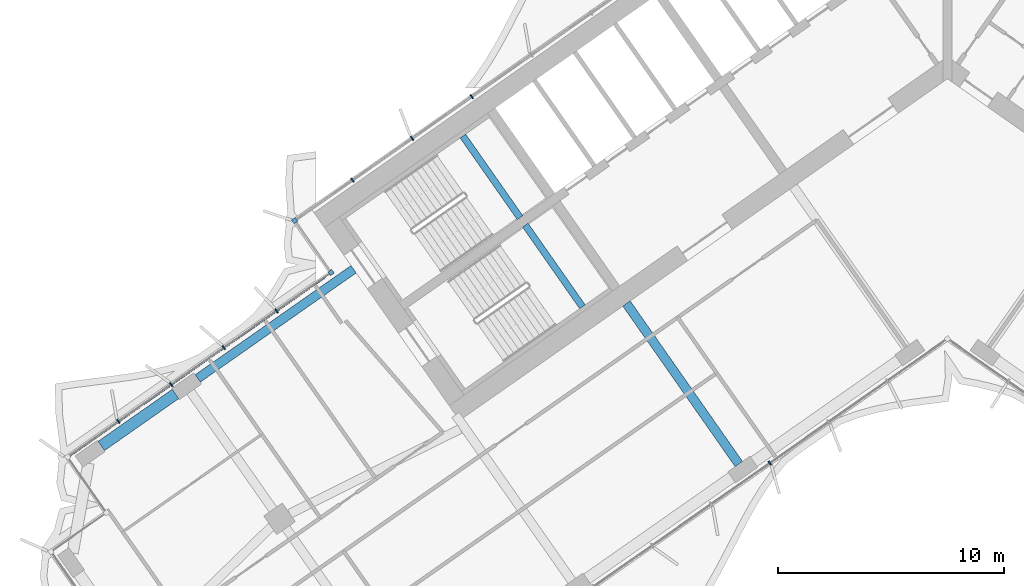
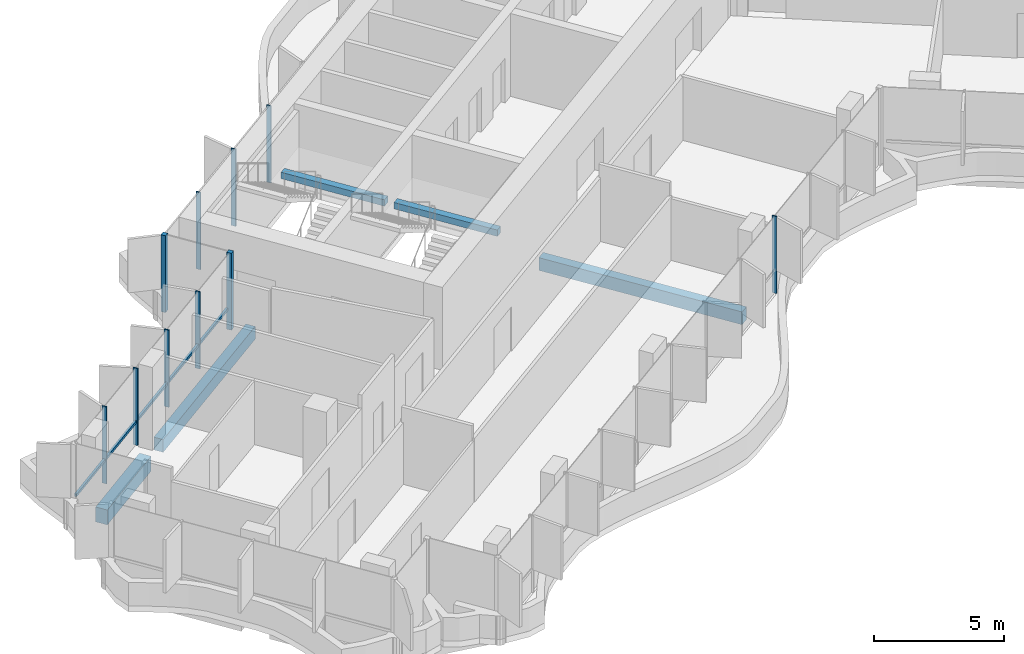
# One storey, part 4 of 21: 11 members, 5 beams, 2 elements without a shape of their own.
"""IFC4 building model written with IfcOpenShell, lengths in metres."""

import ifcopenshell
import ifcopenshell.guid

model = None  # the IFC model being written
_history = None  # IfcOwnerHistory: only IFC2X3 demands one
_inside = {}  # id of a spatial element -> (the spatial element, [elements in it])
_under = {}  # id of a project, library or spatial element -> (it, [spatial elements below it])
_declared = {}  # id of a project -> (the project, [libraries it declares])
_typed = {}  # id of a type object -> (the type object, [elements of that type])
_made_of = {}  # id of a material, layer set ... -> (it, [elements and type objects made of it])


def new_model(schema):
    """Start an empty IFC model of exactly this schema.

    Asked for "IFC4X3", IfcOpenShell would pick the latest addendum, in which some entities
    have other attributes; the version numbers below select the first issue.
    IFC2X3 requires an IfcOwnerHistory on every rooted entity: one is made here for all.
    """
    global model, _history
    if schema == "IFC4X3":
        model = ifcopenshell.file(schema_version=(4, 3, 0, 0))
    else:
        model = ifcopenshell.file(schema=schema)
    _inside.clear()
    _under.clear()
    _declared.clear()
    _typed.clear()
    _made_of.clear()
    _history = None
    if model.schema == "IFC2X3":
        org = make("IfcOrganization", Name="unknown")
        user = make(
            "IfcPersonAndOrganization",
            ThePerson=make("IfcPerson", FamilyName="unknown"),
            TheOrganization=org,
        )
        app = make(
            "IfcApplication",
            ApplicationDeveloper=org,
            Version="unknown",
            ApplicationFullName="unknown",
            ApplicationIdentifier="unknown",
        )
        _history = make(
            "IfcOwnerHistory",
            OwningUser=user,
            OwningApplication=app,
            ChangeAction="ADDED",
            CreationDate=0,
        )
    return model


def make(cls, **values):
    """One entity of the class cls with the attributes given. An attribute that is None is left unset."""
    return model.create_entity(
        cls, **{name: value for name, value in values.items() if value is not None}
    )


def rooted(cls, **values):
    """An entity with a GlobalId (a new one), such as an element, a storey or a relation."""
    return make(cls, GlobalId=ifcopenshell.guid.new(), OwnerHistory=_history, **values)


def si_unit(unit_type, name, prefix=None):
    """IfcSIUnit, for example si_unit("LENGTHUNIT", "METRE", prefix="MILLI")."""
    return make("IfcSIUnit", UnitType=unit_type, Prefix=prefix, Name=name)


def assignment(units):
    """IfcUnitAssignment: the units of a project."""
    return None if units is None else make("IfcUnitAssignment", Units=units)


def point(xyz):
    """IfcCartesianPoint."""
    return None if xyz is None else make("IfcCartesianPoint", Coordinates=xyz)


def direction(xyz):
    """IfcDirection."""
    return None if xyz is None else make("IfcDirection", DirectionRatios=xyz)


def frame(location, z_axis=None, x_axis=None):
    """IfcAxis2Placement3D, a coordinate frame: its origin and axes. An axis left out is left unset."""
    return make(
        "IfcAxis2Placement3D",
        Location=point(location),
        Axis=direction(z_axis),
        RefDirection=direction(x_axis),
    )


def frame_2d(location, x_axis=None):
    """IfcAxis2Placement2D, a coordinate frame in the plane: its origin and x axis."""
    return make(
        "IfcAxis2Placement2D", Location=point(location), RefDirection=direction(x_axis)
    )


def origin():
    """The frame at (0, 0, 0) with its axes left unset."""
    return frame((0.0, 0.0, 0.0))


def origin_2d():
    """The frame at (0, 0) in the plane with its x axis left unset."""
    return frame_2d((0.0, 0.0))


def place(relative_to, where):
    """IfcLocalPlacement: puts the frame where relative to a parent placement (None: the world)."""
    return make(
        "IfcLocalPlacement", PlacementRelTo=relative_to, RelativePlacement=where
    )


def context(
    kind, dimensions, precision=None, world=None, true_north=None, identifier=None
):
    """IfcGeometricRepresentationContext, for example the 3D "Model" context."""
    return make(
        "IfcGeometricRepresentationContext",
        ContextIdentifier=identifier,
        ContextType=kind,
        CoordinateSpaceDimension=dimensions,
        Precision=precision,
        WorldCoordinateSystem=world,
        TrueNorth=true_north,
    )


def subcontext(parent, identifier, kind, view, scale=None):
    """IfcGeometricRepresentationSubContext, for example "Body" below "Model"."""
    return make(
        "IfcGeometricRepresentationSubContext",
        ContextIdentifier=identifier,
        ContextType=kind,
        ParentContext=parent,
        TargetScale=scale,
        TargetView=view,
    )


def project(units=None, contexts=None):
    """IfcProject with its units and contexts."""
    return rooted(
        "IfcProject",
        Name="project",
        RepresentationContexts=contexts,
        UnitsInContext=assignment(units),
    )


def spatial(cls, under=None, at=None, **own):
    """A site, building, storey or space (cls), placed at a placement, below another one or the project."""
    s = rooted(cls, ObjectPlacement=at, **own)
    if under is not None:
        _under.setdefault(under.id(), (under, []))[1].append(s)
    return s


def profile(cls, at=None, kind="AREA", **sizes):
    """A parametric profile (cls). Its sizes go by their IFC names, for example OverallWidth=200.0."""
    return make(cls, ProfileType=kind, Position=at, **sizes)


def rectangle(**sizes):
    """IfcRectangleProfileDef."""
    return profile("IfcRectangleProfileDef", **sizes)


def extrude(swept, where, along, depth):
    """IfcExtrudedAreaSolid: the profile swept, set in the frame where, extruded along a direction by depth."""
    return make(
        "IfcExtrudedAreaSolid",
        SweptArea=swept,
        Position=where,
        ExtrudedDirection=direction(along),
        Depth=depth,
    )


def shape(context_of_items, identifier, shape_type, items):
    """IfcShapeRepresentation: the items that make up one representation, for example the "Body"."""
    return make(
        "IfcShapeRepresentation",
        ContextOfItems=context_of_items,
        RepresentationIdentifier=identifier,
        RepresentationType=shape_type,
        Items=items,
    )


def material(Name=None, Category=None):
    """IfcMaterial."""
    return make("IfcMaterial", Name=Name, Category=Category)


def material_profile(
    of_material, cross_section, Name=None, Category=None, Priority=None
):
    """IfcMaterialProfile: a cross section and its material."""
    return make(
        "IfcMaterialProfile",
        Name=Name,
        Material=of_material,
        Profile=cross_section,
        Priority=Priority,
        Category=Category,
    )


def profile_set(profiles, Name=None, composite=None):
    """IfcMaterialProfileSet."""
    return make(
        "IfcMaterialProfileSet",
        Name=Name,
        MaterialProfiles=profiles,
        CompositeProfile=composite,
    )


def made_of(thing, what):
    """Note that an element or type object is made of a material, layer set ...; save() writes the relation."""
    if what is not None:
        _made_of.setdefault(what.id(), (what, []))[1].append(thing)
    return thing


def type_object(cls, material=None, **own):
    """A type object (cls), such as IfcWallType, which elements share."""
    return made_of(rooted(cls, **own), material)


def element(
    cls,
    number,
    at=None,
    inside=None,
    cuts=None,
    type_object=None,
    material=None,
    context=None,
    identifier="Body",
    shape_type=None,
    held_by="IfcProductDefinitionShape",
    body=None,
    shapes=None,
    **own,
):
    """One element of the class cls, such as IfcWall. Its Tag is "e" and its number.

    at: its placement. inside: the storey or other place that contains it. cuts: it is an
    opening in that element (IfcRelVoidsElement). A single representation is given by context,
    identifier, shape_type and body (its items); several are given by shapes. held_by: the class
    of the entity that holds the representations. save() writes the other relations.
    """
    e = rooted(cls, Tag="e%d" % number, ObjectPlacement=at, **own)
    if body is not None:
        shapes = [shape(context, identifier, shape_type, body)]
    if shapes is not None:
        e.Representation = make(held_by, Representations=shapes)
    if inside is not None:
        _inside.setdefault(inside.id(), (inside, []))[1].append(e)
    if cuts is not None:
        rooted(
            "IfcRelVoidsElement", RelatingBuildingElement=cuts, RelatedOpeningElement=e
        )
    if type_object is not None:
        _typed.setdefault(type_object.id(), (type_object, []))[1].append(e)
    return made_of(e, material)


def aggregate(whole, parts):
    """IfcRelAggregates: a whole, such as a stair, and the parts it consists of."""
    return rooted("IfcRelAggregates", RelatingObject=whole, RelatedObjects=parts)


def save(model, path):
    """Write the relations noted so far, then the file.

    IfcRelAggregates (storeys below a building ...), IfcRelContainedInSpatialStructure (elements
    in a storey), IfcRelDefinesByType, IfcRelAssociatesMaterial and IfcRelDeclares: one each for
    every whole, place, type object, material and project.
    """
    for whole, parts in _under.values():
        aggregate(whole, parts)
    for where, things in _inside.values():
        rooted(
            "IfcRelContainedInSpatialStructure",
            RelatedElements=things,
            RelatingStructure=where,
        )
    for kind, things in _typed.values():
        rooted("IfcRelDefinesByType", RelatedObjects=things, RelatingType=kind)
    for what, things in _made_of.values():
        rooted("IfcRelAssociatesMaterial", RelatedObjects=things, RelatingMaterial=what)
    for by, libraries in _declared.values():
        rooted("IfcRelDeclares", RelatingContext=by, RelatedDefinitions=libraries)
    model.write(path)


model = new_model("IFC4")

# Units and contexts
model_context = context("Model", 3, precision=1e-05, world=origin(), true_north=direction((0.0, 1.0)))
body_context = subcontext(model_context, "Body", "Model", "MODEL_VIEW")
ifc_project = project(units=[si_unit("LENGTHUNIT", "METRE"), si_unit("AREAUNIT", "SQUARE_METRE"), si_unit("VOLUMEUNIT", "CUBIC_METRE"), si_unit("PLANEANGLEUNIT", "RADIAN"), si_unit("MASSUNIT", "GRAM", prefix="KILO")], contexts=[model_context])

# Site, building, storey
site_placement = place(None, origin())
site = spatial("IfcSite", under=ifc_project, at=site_placement, CompositionType="ELEMENT")
building_placement = place(site_placement, origin())
building = spatial("IfcBuilding", under=site, at=building_placement, Name="Tel Ilan Convention Tower", CompositionType="ELEMENT")
storey_placement = place(building_placement, frame((0.0, 0.0, 159.300048828125)))
storey = spatial("IfcBuildingStorey", under=building, at=storey_placement, Name="L36", CompositionType="ELEMENT", Elevation=159.300048828125)

# Beams
ifc_material_1 = material(Name="Concrete C40/50", Category="concrete")
ifc_material_profile_1 = material_profile(ifc_material_1, rectangle(XDim=0.39990234375, YDim=0.60009765625, at=origin_2d()), Name="RC 400x600")
ifc_profile_set_1 = profile_set([ifc_material_profile_1], Name="Concrete C40/50")
beam_type_1 = type_object("IfcBeamType", Name="Beam RC 400x600 Concrete C40/50", PredefinedType="BEAM", material=ifc_profile_set_1)
beam_1_placement = place(storey_placement, frame((-33.09912109375, -14.44775390625, -0.580078125), z_axis=(0.819147254605, 0.573583276668, 0.0), x_axis=(-0.573583276668, 0.819147254605, 0.0)))
element("IfcBeam", 1, at=beam_1_placement, inside=storey, type_object=beam_type_1, Name="L36 beam W-W-B4-core", PredefinedType="BEAM", context=body_context, shape_type="SweptSolid", body=[
    extrude(rectangle(XDim=0.39990234375, YDim=0.60009765625, at=origin_2d()), origin(), (0.0, 0.0, 1.0), 8.400146484375),
])
beam_2_placement = place(storey_placement, frame((-9.209716796875, -18.229248046875, -0.580078125), z_axis=(-0.573574099654, 0.819153680457, 0.0), x_axis=(-0.819153680457, -0.573574099654, 0.0)))
element("IfcBeam", 2, at=beam_2_placement, inside=storey, type_object=beam_type_1, Name="L36 beam W-W-F2-core", PredefinedType="BEAM", context=body_context, shape_type="SweptSolid", body=[
    extrude(rectangle(XDim=0.39990234375, YDim=0.60009765625, at=origin_2d()), origin(), (0.0, 0.0, 1.0), 8.64990234375),
])
ifc_material_2 = material(Name="Concrete C40/50", Category="concrete")
ifc_material_profile_2 = material_profile(ifc_material_2, rectangle(XDim=0.5, YDim=0.699951171875, at=origin_2d()), Name="RC 500x700")
ifc_profile_set_2 = profile_set([ifc_material_profile_2], Name="Concrete C40/50")
beam_type_2 = type_object("IfcBeamType", Name="Beam RC 500x700 Concrete C40/50", PredefinedType="BEAM", material=ifc_profile_set_2)
beam_3_placement = place(storey_placement, frame((-37.358642578125, -17.430419921875, -0.630126953125), z_axis=(0.819137286189, 0.573597512525, 0.0), x_axis=(-0.573597512525, 0.819137286189, 0.0)))
element("IfcBeam", 3, at=beam_3_placement, inside=storey, type_object=beam_type_2, Name="L36 beam W-W-BC-W-B4", PredefinedType="BEAM", context=body_context, shape_type="SweptSolid", body=[
    extrude(rectangle(XDim=0.5, YDim=0.699951171875, at=origin_2d()), origin(), (0.0, 0.0, 1.0), 4.0),
])

# Curtain wall, members
ifc_material_3 = material(Name="Aluminium, bronze anodised", Category="aluminium")
curtain_wall_type_1 = type_object("IfcCurtainWallType", Name="CW2 STICK CURTAIN WALL, SPANDREL PANELS", PredefinedType="NOTDEFINED", material=ifc_material_3)
curtain_wall_1_placement = place(storey_placement, origin())
curtain_wall_1 = element("IfcCurtainWall", 4, at=curtain_wall_1_placement, inside=storey, type_object=curtain_wall_type_1, Name="Curtain wall CW2-28.01", PredefinedType="NOTDEFINED")
ifc_material_4 = material(Name="Aluminium, bronze anodised", Category="aluminium")
ifc_material_profile_3 = material_profile(ifc_material_4, rectangle(XDim=0.199951171875, YDim=0.199951171875, at=origin_2d()), Name="CW CORNER MULLION 200x200")
ifc_profile_set_3 = profile_set([ifc_material_profile_3], Name="Aluminium, bronze anodised")
member_type_1 = type_object("IfcMemberType", Name="CW CORNER MULLION 200x200", PredefinedType="MULLION", material=ifc_profile_set_3)
member_1_placement = place(storey_placement, frame((-28.819580078125, -7.483642578125, 0.0), z_axis=(0.0, 0.0, 1.0), x_axis=(-0.819152044289, -0.573576436351, 0.0)))
member_1 = element("IfcMember", 5, at=member_1_placement, type_object=member_type_1, Name="Corner mullion", PredefinedType="MULLION", context=body_context, shape_type="SweptSolid", body=[
    extrude(rectangle(XDim=0.199951171875, YDim=0.199951171875, at=origin_2d()), origin(), (0.0, 0.0, 1.0), 3.619873046875),
])
member_2_placement = place(storey_placement, frame((-27.213623046875, -9.77734375, 0.0), z_axis=(0.0, 0.0, 1.0), x_axis=(0.573576436351, -0.819152044289, 0.0)))
member_2 = element("IfcMember", 6, at=member_2_placement, type_object=member_type_1, Name="Corner mullion", PredefinedType="MULLION", context=body_context, shape_type="SweptSolid", body=[
    extrude(rectangle(XDim=0.199951171875, YDim=0.199951171875, at=origin_2d()), origin(), (0.0, 0.0, 1.0), 3.619873046875),
])
ifc_material_5 = material(Name="Aluminium, bronze anodised", Category="aluminium")
ifc_material_profile_4 = material_profile(ifc_material_5, rectangle(XDim=0.06005859375, YDim=0.199951171875, at=origin_2d()), Name="CW MULLION 60x200")
ifc_profile_set_4 = profile_set([ifc_material_profile_4], Name="Aluminium, bronze anodised")
member_type_2 = type_object("IfcMemberType", Name="CW MULLION 60x200", PredefinedType="MULLION", material=ifc_profile_set_4)
member_3_placement = place(storey_placement, frame((-21.003662109375, -2.0107421875, 0.0), z_axis=(0.0, 0.0, 1.0), x_axis=(-0.819152044289, -0.573576436351, 0.0)))
member_3 = element("IfcMember", 7, at=member_3_placement, type_object=member_type_2, Name="Mullion", PredefinedType="MULLION", context=body_context, shape_type="SweptSolid", body=[
    extrude(rectangle(XDim=0.06005859375, YDim=0.199951171875, at=origin_2d()), origin(), (0.0, 0.0, 1.0), 3.619873046875),
])
member_4_placement = place(storey_placement, frame((-23.63623046875, -3.854248046875, 0.0), z_axis=(0.0, 0.0, 1.0), x_axis=(-0.819152044289, -0.573576436351, 0.0)))
member_4 = element("IfcMember", 8, at=member_4_placement, type_object=member_type_2, Name="Mullion", PredefinedType="MULLION", context=body_context, shape_type="SweptSolid", body=[
    extrude(rectangle(XDim=0.06005859375, YDim=0.199951171875, at=origin_2d()), origin(), (0.0, 0.0, 1.0), 3.619873046875),
])
member_5_placement = place(storey_placement, frame((-26.268798828125, -5.697509765625, 0.0), z_axis=(0.0, 0.0, 1.0), x_axis=(-0.819152044289, -0.573576436351, 0.0)))
member_5 = element("IfcMember", 9, at=member_5_placement, type_object=member_type_2, Name="Mullion", PredefinedType="MULLION", context=body_context, shape_type="SweptSolid", body=[
    extrude(rectangle(XDim=0.06005859375, YDim=0.199951171875, at=origin_2d()), origin(), (0.0, 0.0, 1.0), 3.619873046875),
])
aggregate(curtain_wall_1, [member_3, member_4, member_5, member_1, member_2])

ifc_material_6 = material(Name="Aluminium, bronze anodised", Category="aluminium")
curtain_wall_type_2 = type_object("IfcCurtainWallType", Name="CW4 STICK CURTAIN WALL, OFFICE TINTED GLASS", PredefinedType="NOTDEFINED", material=ifc_material_6)
curtain_wall_2_placement = place(storey_placement, origin())
curtain_wall_2 = element("IfcCurtainWall", 10, at=curtain_wall_2_placement, inside=storey, type_object=curtain_wall_type_2, Name="Curtain wall CW4-28.02", PredefinedType="NOTDEFINED")
member_6_placement = place(storey_placement, frame((-29.621826171875, -11.463623046875, 0.0), z_axis=(0.0, 0.0, 1.0), x_axis=(-0.819152044289, -0.573576436351, 0.0)))
member_6 = element("IfcMember", 11, at=member_6_placement, type_object=member_type_2, Name="Mullion", PredefinedType="MULLION", context=body_context, shape_type="SweptSolid", body=[
    extrude(rectangle(XDim=0.06005859375, YDim=0.199951171875, at=origin_2d()), origin(), (0.0, 0.0, 1.0), 3.619873046875),
])
member_7_placement = place(storey_placement, frame((-31.9482421875, -13.092529296875, 0.0), z_axis=(0.0, 0.0, 1.0), x_axis=(-0.819152044289, -0.573576436351, 0.0)))
member_7 = element("IfcMember", 12, at=member_7_placement, type_object=member_type_2, Name="Mullion", PredefinedType="MULLION", context=body_context, shape_type="SweptSolid", body=[
    extrude(rectangle(XDim=0.06005859375, YDim=0.199951171875, at=origin_2d()), origin(), (0.0, 0.0, 1.0), 3.619873046875),
])
member_8_placement = place(storey_placement, frame((-34.274658203125, -14.721435546875, 0.0), z_axis=(0.0, 0.0, 1.0), x_axis=(-0.819152044289, -0.573576436351, 0.0)))
member_8 = element("IfcMember", 13, at=member_8_placement, type_object=member_type_2, Name="Mullion", PredefinedType="MULLION", context=body_context, shape_type="SweptSolid", body=[
    extrude(rectangle(XDim=0.06005859375, YDim=0.199951171875, at=origin_2d()), origin(), (0.0, 0.0, 1.0), 3.619873046875),
])
member_9_placement = place(storey_placement, frame((-36.60107421875, -16.350341796875, 0.0), z_axis=(0.0, 0.0, 1.0), x_axis=(-0.819152044289, -0.573576436351, 0.0)))
member_9 = element("IfcMember", 14, at=member_9_placement, type_object=member_type_2, Name="Mullion", PredefinedType="MULLION", context=body_context, shape_type="SweptSolid", body=[
    extrude(rectangle(XDim=0.06005859375, YDim=0.199951171875, at=origin_2d()), origin(), (0.0, 0.0, 1.0), 3.619873046875),
])
member_10_placement = place(storey_placement, frame((-7.842529296875, -18.1875, 0.0), z_axis=(0.0, 0.0, 1.0), x_axis=(0.819152044289, 0.573576436351, 0.0)))
member_10 = element("IfcMember", 15, at=member_10_placement, type_object=member_type_2, Name="Mullion", PredefinedType="MULLION", context=body_context, shape_type="SweptSolid", body=[
    extrude(rectangle(XDim=0.06005859375, YDim=0.199951171875, at=origin_2d()), origin(), (0.0, 0.0, 1.0), 3.619873046875),
])
ifc_material_7 = material(Name="Aluminium, bronze anodised", Category="aluminium")
ifc_material_profile_5 = material_profile(ifc_material_7, rectangle(XDim=0.10009765625, YDim=0.1201171875, at=origin_2d()), Name="CW TRANSOM 100x120")
ifc_profile_set_5 = profile_set([ifc_material_profile_5], Name="Aluminium, bronze anodised")
member_type_3 = type_object("IfcMemberType", Name="CW TRANSOM 100x120", PredefinedType="USERDEFINED", material=ifc_profile_set_5)
member_11_placement = place(storey_placement, frame((-27.459228515625, -9.94921875, 1.099853515625), z_axis=(-0.819149630799, -0.573579883156, 0.0), x_axis=(0.573579883156, -0.819149630799, 0.0)))
member_11 = element("IfcMember", 16, at=member_11_placement, type_object=member_type_3, Name="Transom", ObjectType="TRANSOM", PredefinedType="USERDEFINED", context=body_context, shape_type="SweptSolid", body=[
    extrude(rectangle(XDim=0.10009765625, YDim=0.1201171875, at=origin_2d()), origin(), (0.0, 0.0, 1.0), 13.80029296875),
])
aggregate(curtain_wall_2, [member_6, member_7, member_8, member_9, member_11, member_10])

# Beams
ifc_material_8 = material(Name="Concrete C40/50", Category="concrete")
ifc_material_profile_6 = material_profile(ifc_material_8, rectangle(XDim=0.300048828125, YDim=0.300048828125, at=origin_2d()), Name="RC 300x300")
ifc_profile_set_6 = profile_set([ifc_material_profile_6], Name="Concrete C40/50")
beam_type_3 = type_object("IfcBeamType", Name="Landing Beam RC 300x300 Concrete C40/50", PredefinedType="BEAM", material=ifc_profile_set_6)
beam_4_placement = place(storey_placement, frame((-18.870361328125, -7.353515625, 1.599853515625), z_axis=(-0.57354426506, 0.819174569928, 0.0), x_axis=(-0.819174569928, -0.57354426506, 0.0)))
element("IfcBeam", 17, at=beam_4_placement, inside=storey, type_object=beam_type_3, Name="S1 landing beam L36.1", PredefinedType="BEAM", context=body_context, shape_type="SweptSolid", body=[
    extrude(rectangle(XDim=0.300048828125, YDim=0.300048828125, at=origin_2d()), origin(), (0.0, 0.0, 1.0), 4.400146484375),
])
beam_5_placement = place(storey_placement, frame((-16.1171875, -11.285400390625, 1.599853515625), z_axis=(-0.573570334442, 0.819156316858, 0.0), x_axis=(-0.819156316858, -0.573570334442, 0.0)))
element("IfcBeam", 18, at=beam_5_placement, inside=storey, type_object=beam_type_3, Name="S2 landing beam L36.1", PredefinedType="BEAM", context=body_context, shape_type="SweptSolid", body=[
    extrude(rectangle(XDim=0.300048828125, YDim=0.300048828125, at=origin_2d()), origin(), (0.0, 0.0, 1.0), 4.39990234375),
])

save(model, "model.ifc")
